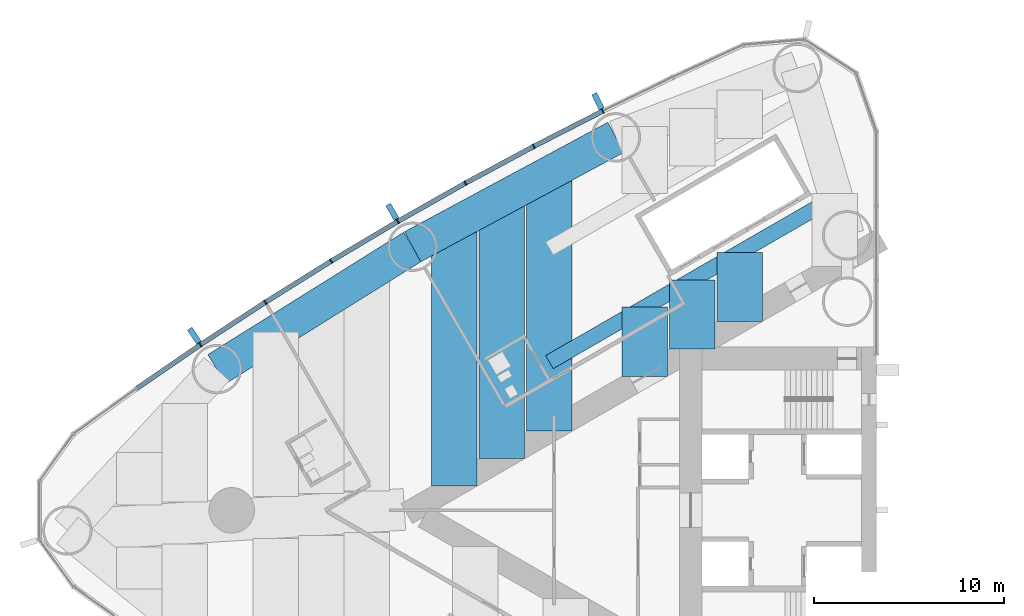
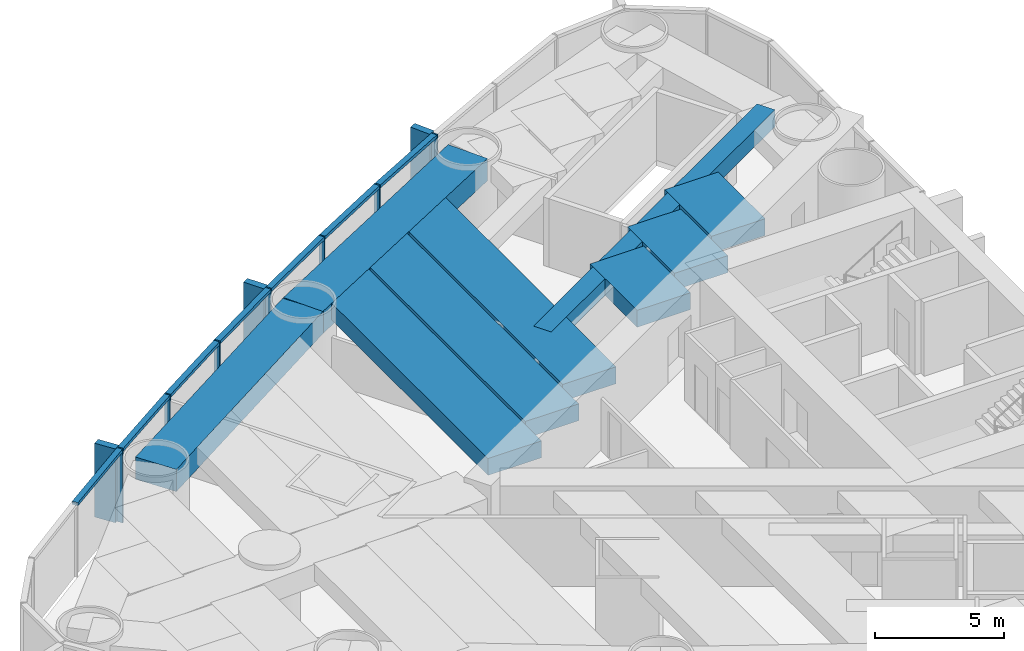
# One storey, part 4 of 19: 17 members, 9 beams, 1 element without a shape of its own.
"""IFC4 building model written with IfcOpenShell, lengths in metres."""

from ifc_helpers import new_model, si_unit, direction, frame, origin, origin_2d, place, context, subcontext, project, spatial, rectangle, hollow_rectangle, extrude, material, material_profile, profile_set, type_object, element, aggregate, save


model = new_model("IFC4")

# Units and contexts
model_context = context("Model", 3, precision=1e-05, world=origin(), true_north=direction((0.0, 1.0)))
body_context = subcontext(model_context, "Body", "Model", "MODEL_VIEW")
ifc_project = project(units=[si_unit("LENGTHUNIT", "METRE"), si_unit("AREAUNIT", "SQUARE_METRE"), si_unit("VOLUMEUNIT", "CUBIC_METRE"), si_unit("PLANEANGLEUNIT", "RADIAN"), si_unit("MASSUNIT", "GRAM", prefix="KILO")], contexts=[model_context])

# Site, building, storey
site_placement = place(None, origin())
site = spatial("IfcSite", under=ifc_project, at=site_placement, CompositionType="ELEMENT")
building_placement = place(site_placement, origin())
building = spatial("IfcBuilding", under=site, at=building_placement, Name="Lancet Gate Hotel", CompositionType="ELEMENT")
storey_placement = place(building_placement, frame((0.0, 0.0, 122.10009765625)))
storey = spatial("IfcBuildingStorey", under=building, at=storey_placement, Name="L32", CompositionType="ELEMENT", Elevation=122.10009765625)

# Curtain wall, members
ifc_material_1 = material(Name="Aluminium curtain wall", Category="aluminium")
curtain_wall_type = type_object("IfcCurtainWallType", Name="Tower unitised curtain wall", PredefinedType="USERDEFINED", material=ifc_material_1)
curtain_wall_placement = place(storey_placement, origin())
curtain_wall = element("IfcCurtainWall", 1, at=curtain_wall_placement, inside=storey, type_object=curtain_wall_type, Name="T1 L32 curtain wall 1", ObjectType="UNITISED CURTAIN WALL", PredefinedType="USERDEFINED")
ifc_material_2 = material(Name="Aluminium mullion", Category="aluminium")
ifc_material_profile_1 = material_profile(ifc_material_2, rectangle(XDim=0.06494140625, YDim=0.25, at=origin_2d()), Name="MULLION 65x250")
ifc_profile_set_1 = profile_set([ifc_material_profile_1], Name="Aluminium mullion")
member_type_1 = type_object("IfcMemberType", Name="Aluminium mullion 65x250", PredefinedType="MULLION", material=ifc_profile_set_1)
member_1_placement = place(storey_placement, frame((-41.935302734375, 21.053466796875, 0.0), z_axis=(0.0, 0.0, 1.0), x_axis=(-0.895339445458, -0.445384415317, 0.0)))
member_1 = element("IfcMember", 2, at=member_1_placement, type_object=member_type_1, Name="T1 L32 curtain wall 1 mullion 9", PredefinedType="MULLION", context=body_context, shape_type="SweptSolid", body=[
    extrude(rectangle(XDim=0.06494140625, YDim=0.25, at=origin_2d()), origin(), (0.0, 0.0, 1.0), 3.5),
])
member_2_placement = place(storey_placement, frame((-45.578857421875, 19.19189453125, 0.0), z_axis=(0.0, 0.0, 1.0), x_axis=(-0.885544335517, -0.46455487279, 0.0)))
member_2 = element("IfcMember", 3, at=member_2_placement, type_object=member_type_1, Name="T1 L32 curtain wall 1 mullion 10", PredefinedType="MULLION", context=body_context, shape_type="SweptSolid", body=[
    extrude(rectangle(XDim=0.06494140625, YDim=0.25, at=origin_2d()), origin(), (0.0, 0.0, 1.0), 3.5),
])
member_3_placement = place(storey_placement, frame((-49.181640625, 17.252197265625, 0.0), z_axis=(0.0, 0.0, 1.0), x_axis=(-0.875338819507, -0.48351003202, 0.0)))
member_3 = element("IfcMember", 4, at=member_3_placement, type_object=member_type_1, Name="T1 L32 curtain wall 1 mullion 11", PredefinedType="MULLION", context=body_context, shape_type="SweptSolid", body=[
    extrude(rectangle(XDim=0.06494140625, YDim=0.25, at=origin_2d()), origin(), (0.0, 0.0, 1.0), 3.5),
])
member_4_placement = place(storey_placement, frame((-52.74169921875, 15.2353515625, 0.0), z_axis=(0.0, 0.0, 1.0), x_axis=(-0.86472762718, -0.502241108226, 0.0)))
member_4 = element("IfcMember", 5, at=member_4_placement, type_object=member_type_1, Name="T1 L32 curtain wall 1 mullion 12", PredefinedType="MULLION", context=body_context, shape_type="SweptSolid", body=[
    extrude(rectangle(XDim=0.06494140625, YDim=0.25, at=origin_2d()), origin(), (0.0, 0.0, 1.0), 3.5),
])
member_5_placement = place(storey_placement, frame((-56.257568359375, 13.142333984375, 0.0), z_axis=(0.0, 0.0, 1.0), x_axis=(-0.853715676299, -0.52073942048, 0.0)))
member_5 = element("IfcMember", 6, at=member_5_placement, type_object=member_type_1, Name="T1 L32 curtain wall 1 mullion 13", PredefinedType="MULLION", context=body_context, shape_type="SweptSolid", body=[
    extrude(rectangle(XDim=0.06494140625, YDim=0.25, at=origin_2d()), origin(), (0.0, 0.0, 1.0), 3.5),
])
member_6_placement = place(storey_placement, frame((-59.7275390625, 10.974365234375, 0.0), z_axis=(0.0, 0.0, 1.0), x_axis=(-0.84230807036, -0.538996395727, 0.0)))
member_6 = element("IfcMember", 7, at=member_6_placement, type_object=member_type_1, Name="T1 L32 curtain wall 1 mullion 14", PredefinedType="MULLION", context=body_context, shape_type="SweptSolid", body=[
    extrude(rectangle(XDim=0.06494140625, YDim=0.25, at=origin_2d()), origin(), (0.0, 0.0, 1.0), 3.5),
])
member_7_placement = place(storey_placement, frame((-63.14990234375, 8.73193359375, 0.0), z_axis=(0.0, 0.0, 1.0), x_axis=(-0.830510096234, -0.557003572747, 0.0)))
member_7 = element("IfcMember", 8, at=member_7_placement, type_object=member_type_1, Name="T1 L32 curtain wall 1 mullion 15", PredefinedType="MULLION", context=body_context, shape_type="SweptSolid", body=[
    extrude(rectangle(XDim=0.06494140625, YDim=0.25, at=origin_2d()), origin(), (0.0, 0.0, 1.0), 3.5),
])
ifc_material_3 = material(Name="Aluminium transom", Category="aluminium")
ifc_material_profile_2 = material_profile(ifc_material_3, rectangle(XDim=0.25, YDim=0.14990234375, at=origin_2d()), Name="TRANSOM 250x150")
ifc_profile_set_2 = profile_set([ifc_material_profile_2], Name="Aluminium transom")
member_type_2 = type_object("IfcMemberType", Name="Aluminium transom 250x150", PredefinedType="USERDEFINED", material=ifc_profile_set_2)
member_8_placement = place(storey_placement, frame((-41.96435546875, 21.038818359375, 3.4248046875), z_axis=(-0.89047617483, -0.455029869415, 0.0), x_axis=(0.455029869415, -0.89047617483, 0.0)))
member_8 = element("IfcMember", 9, at=member_8_placement, type_object=member_type_2, Name="T1 L32 curtain wall 1 transom 9", ObjectType="TRANSOM", PredefinedType="USERDEFINED", context=body_context, shape_type="SweptSolid", body=[
    extrude(rectangle(XDim=0.25, YDim=0.14990234375, at=origin_2d()), origin(), (0.0, 0.0, 1.0), 4.026611328125),
])
member_9_placement = place(storey_placement, frame((-45.607421875, 19.176513671875, 3.4248046875), z_axis=(-0.880498353192, -0.474049206335, 0.0), x_axis=(0.474049206335, -0.880498353192, 0.0)))
member_9 = element("IfcMember", 10, at=member_9_placement, type_object=member_type_2, Name="T1 L32 curtain wall 1 transom 10", ObjectType="TRANSOM", PredefinedType="USERDEFINED", context=body_context, shape_type="SweptSolid", body=[
    extrude(rectangle(XDim=0.25, YDim=0.14990234375, at=origin_2d()), origin(), (0.0, 0.0, 1.0), 4.02685546875),
])
member_10_placement = place(storey_placement, frame((-49.2099609375, 17.236083984375, 3.4248046875), z_axis=(-0.870091531013, -0.492890178091, 0.0), x_axis=(0.492890178091, -0.870091531013, 0.0)))
member_10 = element("IfcMember", 11, at=member_10_placement, type_object=member_type_2, Name="T1 L32 curtain wall 1 transom 11", ObjectType="TRANSOM", PredefinedType="USERDEFINED", context=body_context, shape_type="SweptSolid", body=[
    extrude(rectangle(XDim=0.25, YDim=0.14990234375, at=origin_2d()), origin(), (0.0, 0.0, 1.0), 4.026611328125),
])
member_11_placement = place(storey_placement, frame((-52.76953125, 15.21875, 3.4248046875), z_axis=(-0.859285270342, -0.511496651186, 0.0), x_axis=(0.511496651186, -0.859285270342, 0.0)))
member_11 = element("IfcMember", 12, at=member_11_placement, type_object=member_type_2, Name="T1 L32 curtain wall 1 transom 12", ObjectType="TRANSOM", PredefinedType="USERDEFINED", context=body_context, shape_type="SweptSolid", body=[
    extrude(rectangle(XDim=0.25, YDim=0.14990234375, at=origin_2d()), origin(), (0.0, 0.0, 1.0), 4.026611328125),
])
member_12_placement = place(storey_placement, frame((-56.28515625, 13.125244140625, 3.4248046875), z_axis=(-0.848049393821, -0.529917187531, 0.0), x_axis=(0.529917187531, -0.848049393821, 0.0)))
member_12 = element("IfcMember", 13, at=member_12_placement, type_object=member_type_2, Name="T1 L32 curtain wall 1 transom 13", ObjectType="TRANSOM", PredefinedType="USERDEFINED", context=body_context, shape_type="SweptSolid", body=[
    extrude(rectangle(XDim=0.25, YDim=0.14990234375, at=origin_2d()), origin(), (0.0, 0.0, 1.0), 4.026611328125),
])
member_13_placement = place(storey_placement, frame((-59.754638671875, 10.95654296875, 3.4248046875), z_axis=(-0.83645442085, -0.548036496815, 0.0), x_axis=(0.548036496815, -0.83645442085, 0.0)))
member_13 = element("IfcMember", 14, at=member_13_placement, type_object=member_type_2, Name="T1 L32 curtain wall 1 transom 14", ObjectType="TRANSOM", PredefinedType="USERDEFINED", context=body_context, shape_type="SweptSolid", body=[
    extrude(rectangle(XDim=0.25, YDim=0.14990234375, at=origin_2d()), origin(), (0.0, 0.0, 1.0), 4.026611328125),
])
member_14_placement = place(storey_placement, frame((-63.1767578125, 8.713623046875, 3.4248046875), z_axis=(-0.824455665247, -0.565926546508, 0.0), x_axis=(0.565926546508, -0.824455665247, 0.0)))
member_14 = element("IfcMember", 15, at=member_14_placement, type_object=member_type_2, Name="T1 L32 curtain wall 1 transom 15", ObjectType="TRANSOM", PredefinedType="USERDEFINED", context=body_context, shape_type="SweptSolid", body=[
    extrude(rectangle(XDim=0.25, YDim=0.14990234375, at=origin_2d()), origin(), (0.0, 0.0, 1.0), 4.026611328125),
])

# Beams
ifc_material_4 = material(Name="Concrete C50/60", Category="concrete")
ifc_material_profile_3 = material_profile(ifc_material_4, rectangle(XDim=1.800048828125, YDim=1.050048828125, at=origin_2d()), Name="RC 1800x1050")
ifc_profile_set_3 = profile_set([ifc_material_profile_3], Name="Concrete C50/60")
beam_type_1 = type_object("IfcBeamType", Name="Edge beam RC 1800x1050", PredefinedType="SPANDREL", material=ifc_profile_set_3)
for number, where, z_axis, x_axis, name in (
    (16, (-41.244873046875, 19.665771484375, 2.724853515625), (-0.880492350889, -0.474060354835, 0.0), (0.474060354835, -0.880492350889, 0.0), "T1 edge beam EB1 L32"),
    (17, (-51.963134765625, 13.89501953125, 2.724853515625), (-0.848062521637, -0.529896177939, 0.0), (0.529896177939, -0.848062521637, 0.0), "T1 edge beam EB1 L32"),
):
    element("IfcBeam", number, at=place(storey_placement, frame(where, z_axis=z_axis, x_axis=x_axis)), inside=storey, type_object=beam_type_1, Name=name, PredefinedType="SPANDREL", context=body_context, shape_type="SweptSolid", body=[
        extrude(rectangle(XDim=1.800048828125, YDim=1.050048828125, at=origin_2d()), origin(), (0.0, 0.0, 1.0), 12.173095703125),
    ])

# Member
ifc_material_5 = material(Name="Precast concrete C50/60", Category="concrete")
ifc_material_profile_4 = material_profile(ifc_material_5, rectangle(XDim=0.300048828125, YDim=0.89990234375, at=origin_2d()), Name="FIN 300x900")
ifc_profile_set_4 = profile_set([ifc_material_profile_4], Name="Precast concrete C50/60")
member_type_3 = type_object("IfcMemberType", Name="Exposed concrete fin 300x900", PredefinedType="USERDEFINED", material=ifc_profile_set_4)
member_15_placement = place(storey_placement, frame((-42.19140625, 21.568359375, 0.0), z_axis=(0.0, 0.0, 1.0), x_axis=(-0.895339445458, -0.445384415317, 0.0)))
member_15 = element("IfcMember", 18, at=member_15_placement, type_object=member_type_3, Name="T1 L32 curtain wall 1 fin 9", ObjectType="FIN", PredefinedType="USERDEFINED", context=body_context, shape_type="SweptSolid", body=[
    extrude(rectangle(XDim=0.300048828125, YDim=0.89990234375, at=origin_2d()), origin(), (0.0, 0.0, 1.0), 3.5),
])

member_16_placement = place(storey_placement, frame((-53.030517578125, 15.732666015625, 0.0), z_axis=(0.0, 0.0, 1.0), x_axis=(-0.86472762718, -0.502241108226, 0.0)))
member_16 = element("IfcMember", 19, at=member_16_placement, type_object=member_type_3, Name="T1 L32 curtain wall 1 fin 12", ObjectType="FIN", PredefinedType="USERDEFINED", context=body_context, shape_type="SweptSolid", body=[
    extrude(rectangle(XDim=0.300048828125, YDim=0.89990234375, at=origin_2d()), origin(), (0.0, 0.0, 1.0), 3.5),
])

member_17_placement = place(storey_placement, frame((-63.47021484375, 9.20947265625, 0.0), z_axis=(0.0, 0.0, 1.0), x_axis=(-0.830510096234, -0.557003572747, 0.0)))
member_17 = element("IfcMember", 20, at=member_17_placement, type_object=member_type_3, Name="T1 L32 curtain wall 1 fin 15", ObjectType="FIN", PredefinedType="USERDEFINED", context=body_context, shape_type="SweptSolid", body=[
    extrude(rectangle(XDim=0.300048828125, YDim=0.89990234375, at=origin_2d()), origin(), (0.0, 0.0, 1.0), 3.5),
])

aggregate(curtain_wall, [member_1, member_15, member_2, member_3, member_4, member_16, member_5, member_6, member_7, member_17, member_8, member_9, member_10, member_11, member_12, member_13, member_14])

# Beams
ifc_material_6 = material(Name="Concrete C50/60", Category="concrete")
ifc_material_profile_5 = material_profile(ifc_material_6, rectangle(XDim=2.39990234375, YDim=0.800048828125, at=origin_2d()), Name="RC 2400x800")
ifc_profile_set_5 = profile_set([ifc_material_profile_5], Name="Concrete C50/60")
beam_type_2 = type_object("IfcBeamType", Name="Floor beam RC 2400x800", PredefinedType="BEAM", material=ifc_profile_set_5)
beam_1_placement = place(storey_placement, frame((-44.747802734375, 17.77978515625, 2.849853515625), z_axis=(0.0, -1.0, 0.0), x_axis=(1.0, 0.0, 0.0)))
element("IfcBeam", 21, at=beam_1_placement, inside=storey, type_object=beam_type_2, Name="T1 floor beam F09S L32", PredefinedType="BEAM", context=body_context, shape_type="SweptSolid", body=[
    extrude(rectangle(XDim=2.39990234375, YDim=0.800048828125, at=origin_2d()), origin(), (0.0, 0.0, 1.0), 13.611083984375),
])
beam_2_placement = place(storey_placement, frame((-47.254638671875, 16.43017578125, 2.849853515625), z_axis=(0.0, -1.0, 0.0), x_axis=(1.0, 0.0, 0.0)))
element("IfcBeam", 22, at=beam_2_placement, inside=storey, type_object=beam_type_2, Name="T1 floor beam F10S L32", PredefinedType="BEAM", context=body_context, shape_type="SweptSolid", body=[
    extrude(rectangle(XDim=2.39990234375, YDim=0.800048828125, at=origin_2d()), origin(), (0.0, 0.0, 1.0), 13.708740234375),
])
beam_3_placement = place(storey_placement, frame((-49.761474609375, 15.08056640625, 2.849853515625), z_axis=(0.0, -1.0, 0.0), x_axis=(1.0, 0.0, 0.0)))
element("IfcBeam", 23, at=beam_3_placement, inside=storey, type_object=beam_type_2, Name="T1 floor beam F12S L32", PredefinedType="BEAM", context=body_context, shape_type="SweptSolid", body=[
    extrude(rectangle(XDim=2.39990234375, YDim=0.800048828125, at=origin_2d()), origin(), (0.0, 0.0, 1.0), 13.806396484375),
])
beam_4_placement = place(storey_placement, frame((-34.720458984375, 13.603759765625, 2.849853515625), z_axis=(0.0, -1.0, 0.0), x_axis=(1.0, 0.0, 0.0)))
element("IfcBeam", 24, at=beam_4_placement, inside=storey, type_object=beam_type_2, Name="T1 floor beam F04SB L32", PredefinedType="BEAM", context=body_context, shape_type="SweptSolid", body=[
    extrude(rectangle(XDim=2.39990234375, YDim=0.800048828125, at=origin_2d()), origin(), (0.0, 0.0, 1.0), 3.645751953125),
])
beam_5_placement = place(storey_placement, frame((-37.227294921875, 12.15625, 2.849853515625), z_axis=(0.0, -1.0, 0.0), x_axis=(1.0, 0.0, 0.0)))
element("IfcBeam", 25, at=beam_5_placement, inside=storey, type_object=beam_type_2, Name="T1 floor beam F05SB L32", PredefinedType="BEAM", context=body_context, shape_type="SweptSolid", body=[
    extrude(rectangle(XDim=2.39990234375, YDim=0.800048828125, at=origin_2d()), origin(), (0.0, 0.0, 1.0), 3.6455078125),
])
beam_6_placement = place(storey_placement, frame((-39.734130859375, 10.708740234375, 2.849853515625), z_axis=(0.0, -1.0, 0.0), x_axis=(1.0, 0.0, 0.0)))
element("IfcBeam", 26, at=beam_6_placement, inside=storey, type_object=beam_type_2, Name="T1 floor beam F07SB L32", PredefinedType="BEAM", context=body_context, shape_type="SweptSolid", body=[
    extrude(rectangle(XDim=2.39990234375, YDim=0.800048828125, at=origin_2d()), origin(), (0.0, 0.0, 1.0), 3.645263671875),
])
ifc_material_7 = material(Name="Steel S460QL", Category="steel")
ifc_material_profile_6 = material_profile(ifc_material_7, hollow_rectangle(XDim=0.800048828125, YDim=0.800048828125, WallThickness=0.080078125, at=origin_2d()), Name="BOX 800x800x80")
ifc_profile_set_6 = profile_set([ifc_material_profile_6], Name="Steel S460QL")
beam_type_3 = type_object("IfcBeamType", Name="Trimmer beam BOX 800x800x80", PredefinedType="BEAM", material=ifc_profile_set_6)
beam_7_placement = place(storey_placement, frame((-29.706787109375, 16.49853515625, 2.849853515625), z_axis=(-0.866003462672, -0.500038001195, 0.0), x_axis=(0.500038001195, -0.866003462672, 0.0)))
element("IfcBeam", 27, at=beam_7_placement, inside=storey, type_object=beam_type_3, Name="T1 trimmer beam TR02S L32", PredefinedType="BEAM", context=body_context, shape_type="SweptSolid", body=[
    extrude(hollow_rectangle(XDim=0.800048828125, YDim=0.800048828125, WallThickness=0.080078125, at=origin_2d()), origin(), (0.0, 0.0, 1.0), 17.368408203125),
])

save(model, "model.ifc")
